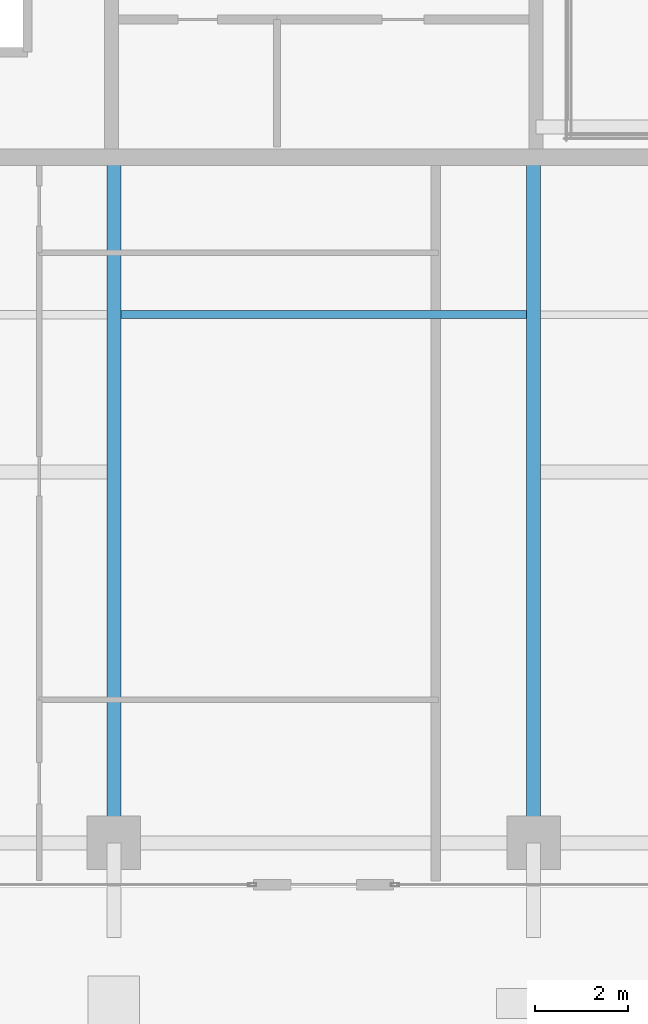
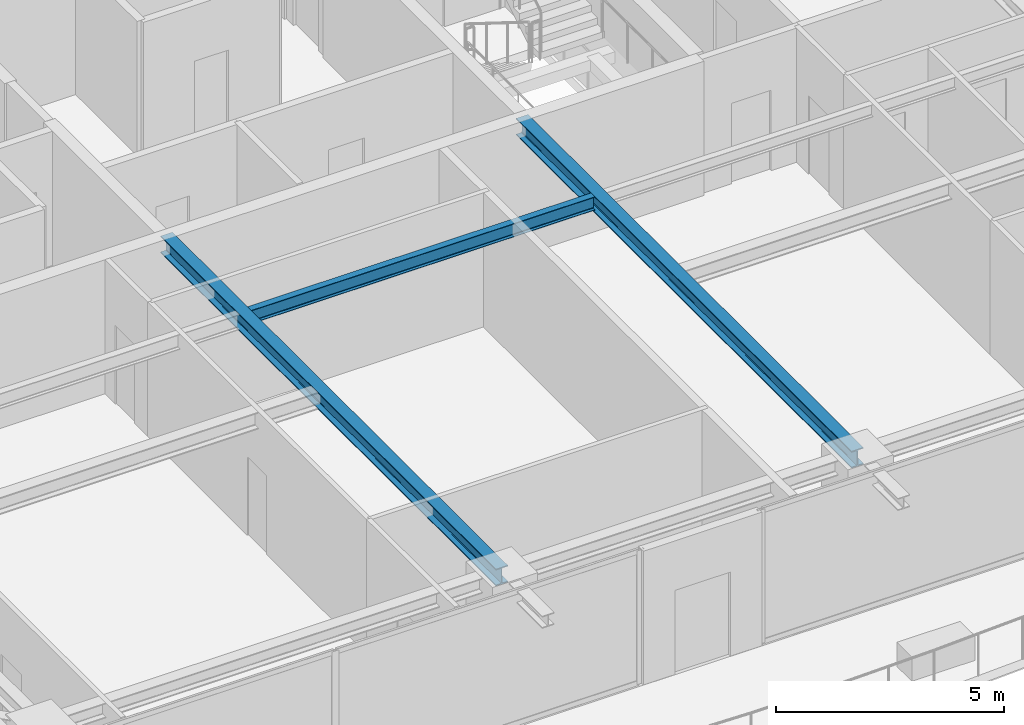
# One storey, part 6 of 37: 3 beams.
"""IFC4 building model written with IfcOpenShell, lengths in metres."""

from ifc_helpers import new_model, si_unit, direction, frame, origin, origin_2d, place, context, subcontext, project, spatial, i_section, extrude, source, transform, mapped, material, material_profile, profile_set, type_object, element, save


model = new_model("IFC4")

# Units and contexts
model_context = context("Model", 3, precision=1e-05, world=origin(), true_north=direction((0.0, 1.0)))
body_context = subcontext(model_context, "Body", "Model", "MODEL_VIEW")
ifc_project = project(units=[si_unit("LENGTHUNIT", "METRE"), si_unit("AREAUNIT", "SQUARE_METRE"), si_unit("VOLUMEUNIT", "CUBIC_METRE"), si_unit("PLANEANGLEUNIT", "RADIAN"), si_unit("MASSUNIT", "GRAM", prefix="KILO")], contexts=[model_context])

# Site, building, storey
site_placement = place(None, origin())
site = spatial("IfcSite", under=ifc_project, at=site_placement, CompositionType="ELEMENT")
building_placement = place(site_placement, origin())
building = spatial("IfcBuilding", under=site, at=building_placement, Name="Serunith Strait Residences", CompositionType="ELEMENT")
storey_placement = place(building_placement, frame((0.0, 0.0, 260.5)))
storey = spatial("IfcBuildingStorey", under=building, at=storey_placement, Name="L65", CompositionType="ELEMENT", Elevation=260.5)

# Beams
ifc_material = material(Name="Steel S355J2", Category="steel")
ifc_material_profile_1 = material_profile(ifc_material, i_section(OverallWidth=0.169921875, OverallDepth=0.360107421875, WebThickness=0.008056640625, FlangeThickness=0.0126953125, FilletRadius=0.01806640625, at=origin_2d()), Name="IPE 360")
ifc_profile_set_1 = profile_set([ifc_material_profile_1], Name="Steel S355J2")
beam_type_1 = type_object("IfcBeamType", Name="BM-IPE360", PredefinedType="JOIST", material=ifc_profile_set_1)
shared_shape_1 = source(origin(), body_context, "Body", "SweptSolid", [
    extrude(i_section(OverallWidth=0.169921875, OverallDepth=0.360107421875, WebThickness=0.008056640625, FlangeThickness=0.0126953125, FilletRadius=0.01806640625, at=origin_2d()), origin(), (0.0, 0.0, 1.0), 8.699951171875),
])
beam_placement = place(storey_placement, frame((28.050048828125, 13.425048828125, 3.406982421875), z_axis=(1.0, 0.0, 0.0), x_axis=(0.0, 1.0, 0.0)))
element("IfcBeam", 1, at=beam_placement, inside=storey, type_object=beam_type_1, Name="L65 Composite Floor Joist 02", PredefinedType="JOIST", context=body_context, shape_type="MappedRepresentation", body=[
    mapped(shared_shape_1, transform((0.0, 0.0, 0.0), scale=1.0)),
])
ifc_material_profile_2 = material_profile(ifc_material, i_section(OverallWidth=0.300048828125, OverallDepth=0.449951171875, WebThickness=0.013916015625, FlangeThickness=0.02587890625, FilletRadius=0.027099609375, at=origin_2d()), Name="HEB 450")
ifc_profile_set_2 = profile_set([ifc_material_profile_2], Name="Steel S355J2")
beam_type_2 = type_object("IfcBeamType", Name="BM-HEB450", PredefinedType="BEAM", material=ifc_profile_set_2)
shared_shape_2 = source(origin(), body_context, "Body", "SweptSolid", [
    extrude(i_section(OverallWidth=0.300048828125, OverallDepth=0.449951171875, WebThickness=0.013916015625, FlangeThickness=0.02587890625, FilletRadius=0.027099609375, at=origin_2d()), origin(), (0.0, 0.0, 1.0), 14.699951171875),
])
for number, where, z_axis, x_axis, name in (
    (2, (27.89990234375, 16.800048828125, 3.362060546875), (0.0, -1.0, 0.0), (1.0, 0.0, 0.0), "L65 Primary Floor Girder TC-S2"),
    (3, (36.89990234375, 16.800048828125, 3.362060546875), (0.0, -1.0, 0.0), (1.0, 0.0, 0.0), "L65 Primary Floor Girder TC-S3"),
):
    element("IfcBeam", number, at=place(storey_placement, frame(where, z_axis=z_axis, x_axis=x_axis)), inside=storey, type_object=beam_type_2, Name=name, PredefinedType="BEAM", context=body_context, shape_type="MappedRepresentation", body=[
        mapped(shared_shape_2, transform((0.0, 0.0, 0.0), scale=1.0)),
    ])

save(model, "model.ifc")
